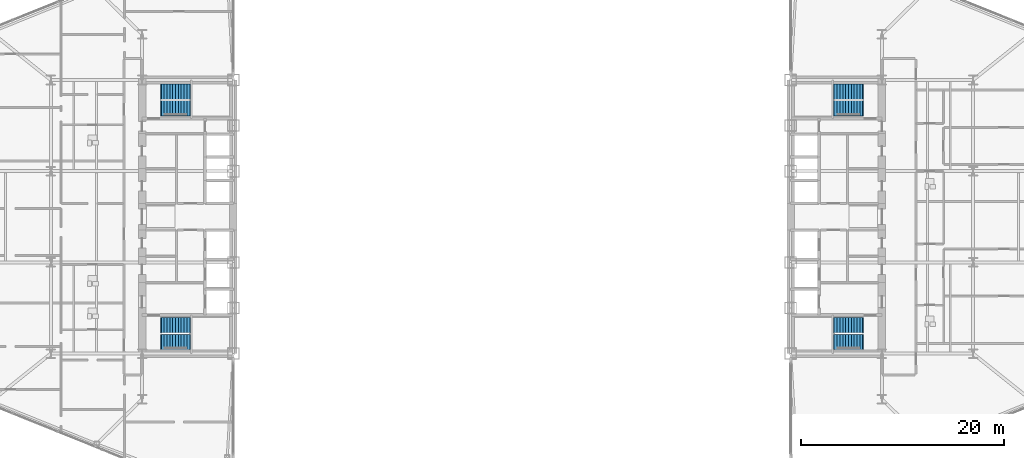
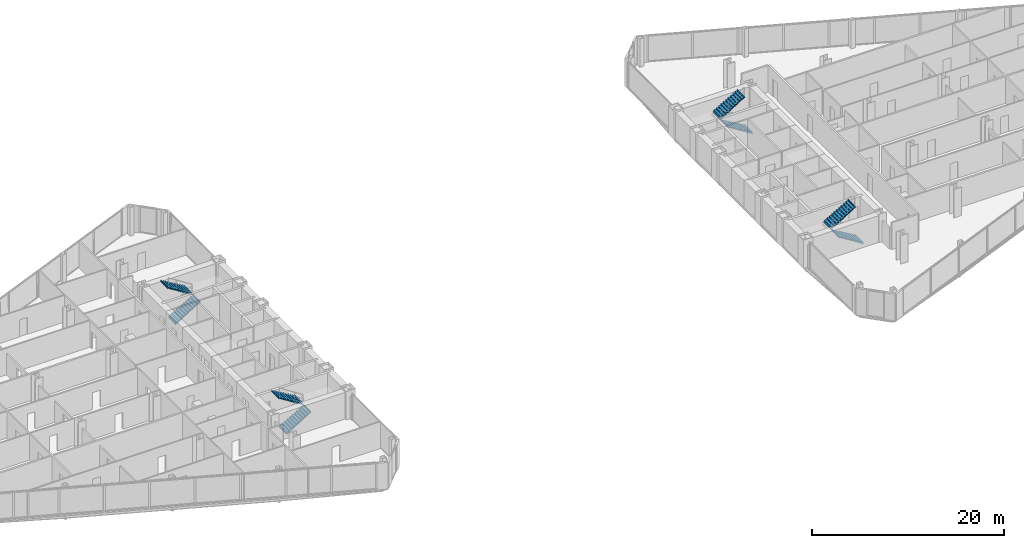
# One storey, part 23 of 25: 8 stair flights, 4 elements without a shape of their own.
"""IFC4 building model written with IfcOpenShell, lengths in metres."""

from ifc_helpers import new_model, si_unit, direction, frame, origin, place, context, subcontext, project, spatial, polyline, outline, extrude, material, type_object, element, aggregate, save


model = new_model("IFC4")

# Units and contexts
model_context = context("Model", 3, precision=1e-05, world=origin(), true_north=direction((0.0, 1.0)))
body_context = subcontext(model_context, "Body", "Model", "MODEL_VIEW")
ifc_project = project(units=[si_unit("LENGTHUNIT", "METRE"), si_unit("AREAUNIT", "SQUARE_METRE"), si_unit("VOLUMEUNIT", "CUBIC_METRE"), si_unit("PLANEANGLEUNIT", "RADIAN"), si_unit("MASSUNIT", "GRAM", prefix="KILO")], contexts=[model_context])

# Site, building, storey
site_placement = place(None, origin())
site = spatial("IfcSite", under=ifc_project, at=site_placement, CompositionType="ELEMENT")
building_placement = place(site_placement, origin())
building = spatial("IfcBuilding", under=site, at=building_placement, Name="Seokmaru Belvedere", CompositionType="ELEMENT")
storey_placement = place(building_placement, frame((0.0, 0.0, 47.699951171875)))
storey = spatial("IfcBuildingStorey", under=building, at=storey_placement, Name="L12", CompositionType="ELEMENT", Elevation=47.699951171875)

# Stair, stair flights
ifc_material = material(Name="Concrete C40 (40 MPa)", Category="concrete")
stair_type = type_object("IfcStairType", Name="Typical Tower Core Dog-Leg Stair 3600", PredefinedType="TWO_STRAIGHT_RUN_STAIR", material=ifc_material)
stair_1_placement = place(storey_placement, origin())
stair_1 = element("IfcStair", 1, at=stair_1_placement, inside=storey, type_object=stair_type, Name="L12 Special Escape Stair ST-W1", PredefinedType="TWO_STRAIGHT_RUN_STAIR")
stair_flight_type = type_object("IfcStairFlightType", Name="Reinforced Concrete Stair Flight 1500", PredefinedType="STRAIGHT", material=ifc_material)
stair_flight_1_placement = place(storey_placement, frame((-34.60009765625, -12.35009765625, 0.0), z_axis=(0.0, 0.0, 1.0), x_axis=(1.0, 0.0, 0.0)))
stair_flight_1 = element("IfcStairFlight", 2, at=stair_flight_1_placement, type_object=stair_flight_type, Name="ST-W1 flight 1", NumberOfRisers=11, NumberOfTreads=10, PredefinedType="STRAIGHT", RiserHeight=0.163636364, TreadLength=0.28, context=body_context, shape_type="SweptSolid", body=[
    extrude(outline(polyline([(-0.080078125, 0.0), (0.0, 0.16357421875), (0.280029296875, 0.16357421875), (0.280029296875, 0.327392578125), (0.56005859375, 0.327392578125), (0.56005859375, 0.490966796875), (0.840087890625, 0.490966796875), (0.840087890625, 0.654541015625), (1.1201171875, 0.654541015625), (1.1201171875, 0.818115234375), (1.39990234375, 0.818115234375), (1.39990234375, 0.98193359375), (1.679931640625, 0.98193359375), (1.679931640625, 1.1455078125), (1.9599609375, 1.1455078125), (1.9599609375, 1.30908203125), (2.239990234375, 1.30908203125), (2.239990234375, 1.47265625), (2.52001953125, 1.47265625), (2.52001953125, 1.636474609375), (2.800048828125, 1.636474609375), (2.800048828125, 1.800048828125), (2.8798828125, 1.800048828125), (2.8798828125, 1.610107421875), (2.800048828125, 1.610107421875), (0.0, -0.159912109375), (-0.080078125, -0.159912109375), (-0.080078125, 0.0)])), frame((0.0, 0.75, 0.0), z_axis=(0.0, -1.0, 0.0), x_axis=(1.0, 0.0, 0.0)), (0.0, 0.0, 1.0), 1.5),
])
stair_flight_2_placement = place(storey_placement, frame((-31.800048828125, -10.7099609375, 1.800048828125), z_axis=(0.0, 0.0, 1.0), x_axis=(-1.0, 0.0, 0.0)))
stair_flight_2 = element("IfcStairFlight", 3, at=stair_flight_2_placement, type_object=stair_flight_type, Name="ST-W1 flight 2", NumberOfRisers=11, NumberOfTreads=10, PredefinedType="STRAIGHT", RiserHeight=0.163636364, TreadLength=0.28, context=body_context, shape_type="SweptSolid", body=[
    extrude(outline(polyline([(-0.080078125, 0.0), (0.0, 0.16357421875), (0.280029296875, 0.16357421875), (0.280029296875, 0.327392578125), (0.56005859375, 0.327392578125), (0.56005859375, 0.490966796875), (0.840087890625, 0.490966796875), (0.840087890625, 0.654541015625), (1.1201171875, 0.654541015625), (1.1201171875, 0.818115234375), (1.39990234375, 0.818115234375), (1.39990234375, 0.98193359375), (1.679931640625, 0.98193359375), (1.679931640625, 1.1455078125), (1.9599609375, 1.1455078125), (1.9599609375, 1.30908203125), (2.239990234375, 1.30908203125), (2.239990234375, 1.47265625), (2.52001953125, 1.47265625), (2.52001953125, 1.636474609375), (2.800048828125, 1.636474609375), (2.800048828125, 1.800048828125), (2.8798828125, 1.800048828125), (2.8798828125, 1.610107421875), (2.800048828125, 1.610107421875), (0.0, -0.159912109375), (-0.080078125, -0.159912109375), (-0.080078125, 0.0)])), frame((0.0, 0.75, 0.0), z_axis=(0.0, -1.0, 0.0), x_axis=(1.0, 0.0, 0.0)), (0.0, 0.0, 1.0), 1.5),
])
aggregate(stair_1, [stair_flight_1, stair_flight_2])

stair_2_placement = place(storey_placement, origin())
stair_2 = element("IfcStair", 4, at=stair_2_placement, inside=storey, type_object=stair_type, Name="L12 Special Escape Stair ST-W2", PredefinedType="TWO_STRAIGHT_RUN_STAIR")
stair_flight_3_placement = place(storey_placement, frame((-34.60009765625, 10.7099609375, 0.0), z_axis=(0.0, 0.0, 1.0), x_axis=(1.0, 0.0, 0.0)))
stair_flight_3 = element("IfcStairFlight", 5, at=stair_flight_3_placement, type_object=stair_flight_type, Name="ST-W2 flight 1", NumberOfRisers=11, NumberOfTreads=10, PredefinedType="STRAIGHT", RiserHeight=0.163636364, TreadLength=0.28, context=body_context, shape_type="SweptSolid", body=[
    extrude(outline(polyline([(-0.080078125, 0.0), (0.0, 0.16357421875), (0.280029296875, 0.16357421875), (0.280029296875, 0.327392578125), (0.56005859375, 0.327392578125), (0.56005859375, 0.490966796875), (0.840087890625, 0.490966796875), (0.840087890625, 0.654541015625), (1.1201171875, 0.654541015625), (1.1201171875, 0.818115234375), (1.39990234375, 0.818115234375), (1.39990234375, 0.98193359375), (1.679931640625, 0.98193359375), (1.679931640625, 1.1455078125), (1.9599609375, 1.1455078125), (1.9599609375, 1.30908203125), (2.239990234375, 1.30908203125), (2.239990234375, 1.47265625), (2.52001953125, 1.47265625), (2.52001953125, 1.636474609375), (2.800048828125, 1.636474609375), (2.800048828125, 1.800048828125), (2.8798828125, 1.800048828125), (2.8798828125, 1.610107421875), (2.800048828125, 1.610107421875), (0.0, -0.159912109375), (-0.080078125, -0.159912109375), (-0.080078125, 0.0)])), frame((0.0, 0.75, 0.0), z_axis=(0.0, -1.0, 0.0), x_axis=(1.0, 0.0, 0.0)), (0.0, 0.0, 1.0), 1.5),
])
stair_flight_4_placement = place(storey_placement, frame((-31.800048828125, 12.35009765625, 1.800048828125), z_axis=(0.0, 0.0, 1.0), x_axis=(-1.0, 0.0, 0.0)))
stair_flight_4 = element("IfcStairFlight", 6, at=stair_flight_4_placement, type_object=stair_flight_type, Name="ST-W2 flight 2", NumberOfRisers=11, NumberOfTreads=10, PredefinedType="STRAIGHT", RiserHeight=0.163636364, TreadLength=0.28, context=body_context, shape_type="SweptSolid", body=[
    extrude(outline(polyline([(-0.080078125, 0.0), (0.0, 0.16357421875), (0.280029296875, 0.16357421875), (0.280029296875, 0.327392578125), (0.56005859375, 0.327392578125), (0.56005859375, 0.490966796875), (0.840087890625, 0.490966796875), (0.840087890625, 0.654541015625), (1.1201171875, 0.654541015625), (1.1201171875, 0.818115234375), (1.39990234375, 0.818115234375), (1.39990234375, 0.98193359375), (1.679931640625, 0.98193359375), (1.679931640625, 1.1455078125), (1.9599609375, 1.1455078125), (1.9599609375, 1.30908203125), (2.239990234375, 1.30908203125), (2.239990234375, 1.47265625), (2.52001953125, 1.47265625), (2.52001953125, 1.636474609375), (2.800048828125, 1.636474609375), (2.800048828125, 1.800048828125), (2.8798828125, 1.800048828125), (2.8798828125, 1.610107421875), (2.800048828125, 1.610107421875), (0.0, -0.159912109375), (-0.080078125, -0.159912109375), (-0.080078125, 0.0)])), frame((0.0, 0.75, 0.0), z_axis=(0.0, -1.0, 0.0), x_axis=(1.0, 0.0, 0.0)), (0.0, 0.0, 1.0), 1.5),
])
aggregate(stair_2, [stair_flight_3, stair_flight_4])

stair_3_placement = place(storey_placement, origin())
stair_3 = element("IfcStair", 7, at=stair_3_placement, inside=storey, type_object=stair_type, Name="L12 Special Escape Stair ST-E1", PredefinedType="TWO_STRAIGHT_RUN_STAIR")
stair_flight_5_placement = place(storey_placement, frame((34.60009765625, -12.35009765625, 0.0), z_axis=(0.0, 0.0, 1.0), x_axis=(-1.0, 0.0, 0.0)))
stair_flight_5 = element("IfcStairFlight", 8, at=stair_flight_5_placement, type_object=stair_flight_type, Name="ST-E1 flight 1", NumberOfRisers=11, NumberOfTreads=10, PredefinedType="STRAIGHT", RiserHeight=0.163636364, TreadLength=0.28, context=body_context, shape_type="SweptSolid", body=[
    extrude(outline(polyline([(-0.080078125, 0.0), (0.0, 0.16357421875), (0.280029296875, 0.16357421875), (0.280029296875, 0.327392578125), (0.56005859375, 0.327392578125), (0.56005859375, 0.490966796875), (0.840087890625, 0.490966796875), (0.840087890625, 0.654541015625), (1.1201171875, 0.654541015625), (1.1201171875, 0.818115234375), (1.39990234375, 0.818115234375), (1.39990234375, 0.98193359375), (1.679931640625, 0.98193359375), (1.679931640625, 1.1455078125), (1.9599609375, 1.1455078125), (1.9599609375, 1.30908203125), (2.239990234375, 1.30908203125), (2.239990234375, 1.47265625), (2.52001953125, 1.47265625), (2.52001953125, 1.636474609375), (2.800048828125, 1.636474609375), (2.800048828125, 1.800048828125), (2.8798828125, 1.800048828125), (2.8798828125, 1.610107421875), (2.800048828125, 1.610107421875), (0.0, -0.159912109375), (-0.080078125, -0.159912109375), (-0.080078125, 0.0)])), frame((0.0, 0.75, 0.0), z_axis=(0.0, -1.0, 0.0), x_axis=(1.0, 0.0, 0.0)), (0.0, 0.0, 1.0), 1.5),
])
stair_flight_6_placement = place(storey_placement, frame((31.800048828125, -10.7099609375, 1.800048828125), z_axis=(0.0, 0.0, 1.0), x_axis=(1.0, 0.0, 0.0)))
stair_flight_6 = element("IfcStairFlight", 9, at=stair_flight_6_placement, type_object=stair_flight_type, Name="ST-E1 flight 2", NumberOfRisers=11, NumberOfTreads=10, PredefinedType="STRAIGHT", RiserHeight=0.163636364, TreadLength=0.28, context=body_context, shape_type="SweptSolid", body=[
    extrude(outline(polyline([(-0.080078125, 0.0), (0.0, 0.16357421875), (0.280029296875, 0.16357421875), (0.280029296875, 0.327392578125), (0.56005859375, 0.327392578125), (0.56005859375, 0.490966796875), (0.840087890625, 0.490966796875), (0.840087890625, 0.654541015625), (1.1201171875, 0.654541015625), (1.1201171875, 0.818115234375), (1.39990234375, 0.818115234375), (1.39990234375, 0.98193359375), (1.679931640625, 0.98193359375), (1.679931640625, 1.1455078125), (1.9599609375, 1.1455078125), (1.9599609375, 1.30908203125), (2.239990234375, 1.30908203125), (2.239990234375, 1.47265625), (2.52001953125, 1.47265625), (2.52001953125, 1.636474609375), (2.800048828125, 1.636474609375), (2.800048828125, 1.800048828125), (2.8798828125, 1.800048828125), (2.8798828125, 1.610107421875), (2.800048828125, 1.610107421875), (0.0, -0.159912109375), (-0.080078125, -0.159912109375), (-0.080078125, 0.0)])), frame((0.0, 0.75, 0.0), z_axis=(0.0, -1.0, 0.0), x_axis=(1.0, 0.0, 0.0)), (0.0, 0.0, 1.0), 1.5),
])
aggregate(stair_3, [stair_flight_5, stair_flight_6])

stair_4_placement = place(storey_placement, origin())
stair_4 = element("IfcStair", 10, at=stair_4_placement, inside=storey, type_object=stair_type, Name="L12 Special Escape Stair ST-E2", PredefinedType="TWO_STRAIGHT_RUN_STAIR")
stair_flight_7_placement = place(storey_placement, frame((34.60009765625, 10.7099609375, 0.0), z_axis=(0.0, 0.0, 1.0), x_axis=(-1.0, 0.0, 0.0)))
stair_flight_7 = element("IfcStairFlight", 11, at=stair_flight_7_placement, type_object=stair_flight_type, Name="ST-E2 flight 1", NumberOfRisers=11, NumberOfTreads=10, PredefinedType="STRAIGHT", RiserHeight=0.163636364, TreadLength=0.28, context=body_context, shape_type="SweptSolid", body=[
    extrude(outline(polyline([(-0.080078125, 0.0), (0.0, 0.16357421875), (0.280029296875, 0.16357421875), (0.280029296875, 0.327392578125), (0.56005859375, 0.327392578125), (0.56005859375, 0.490966796875), (0.840087890625, 0.490966796875), (0.840087890625, 0.654541015625), (1.1201171875, 0.654541015625), (1.1201171875, 0.818115234375), (1.39990234375, 0.818115234375), (1.39990234375, 0.98193359375), (1.679931640625, 0.98193359375), (1.679931640625, 1.1455078125), (1.9599609375, 1.1455078125), (1.9599609375, 1.30908203125), (2.239990234375, 1.30908203125), (2.239990234375, 1.47265625), (2.52001953125, 1.47265625), (2.52001953125, 1.636474609375), (2.800048828125, 1.636474609375), (2.800048828125, 1.800048828125), (2.8798828125, 1.800048828125), (2.8798828125, 1.610107421875), (2.800048828125, 1.610107421875), (0.0, -0.159912109375), (-0.080078125, -0.159912109375), (-0.080078125, 0.0)])), frame((0.0, 0.75, 0.0), z_axis=(0.0, -1.0, 0.0), x_axis=(1.0, 0.0, 0.0)), (0.0, 0.0, 1.0), 1.5),
])
stair_flight_8_placement = place(storey_placement, frame((31.800048828125, 12.35009765625, 1.800048828125), z_axis=(0.0, 0.0, 1.0), x_axis=(1.0, 0.0, 0.0)))
stair_flight_8 = element("IfcStairFlight", 12, at=stair_flight_8_placement, type_object=stair_flight_type, Name="ST-E2 flight 2", NumberOfRisers=11, NumberOfTreads=10, PredefinedType="STRAIGHT", RiserHeight=0.163636364, TreadLength=0.28, context=body_context, shape_type="SweptSolid", body=[
    extrude(outline(polyline([(-0.080078125, 0.0), (0.0, 0.16357421875), (0.280029296875, 0.16357421875), (0.280029296875, 0.327392578125), (0.56005859375, 0.327392578125), (0.56005859375, 0.490966796875), (0.840087890625, 0.490966796875), (0.840087890625, 0.654541015625), (1.1201171875, 0.654541015625), (1.1201171875, 0.818115234375), (1.39990234375, 0.818115234375), (1.39990234375, 0.98193359375), (1.679931640625, 0.98193359375), (1.679931640625, 1.1455078125), (1.9599609375, 1.1455078125), (1.9599609375, 1.30908203125), (2.239990234375, 1.30908203125), (2.239990234375, 1.47265625), (2.52001953125, 1.47265625), (2.52001953125, 1.636474609375), (2.800048828125, 1.636474609375), (2.800048828125, 1.800048828125), (2.8798828125, 1.800048828125), (2.8798828125, 1.610107421875), (2.800048828125, 1.610107421875), (0.0, -0.159912109375), (-0.080078125, -0.159912109375), (-0.080078125, 0.0)])), frame((0.0, 0.75, 0.0), z_axis=(0.0, -1.0, 0.0), x_axis=(1.0, 0.0, 0.0)), (0.0, 0.0, 1.0), 1.5),
])
aggregate(stair_4, [stair_flight_7, stair_flight_8])

save(model, "model.ifc")
